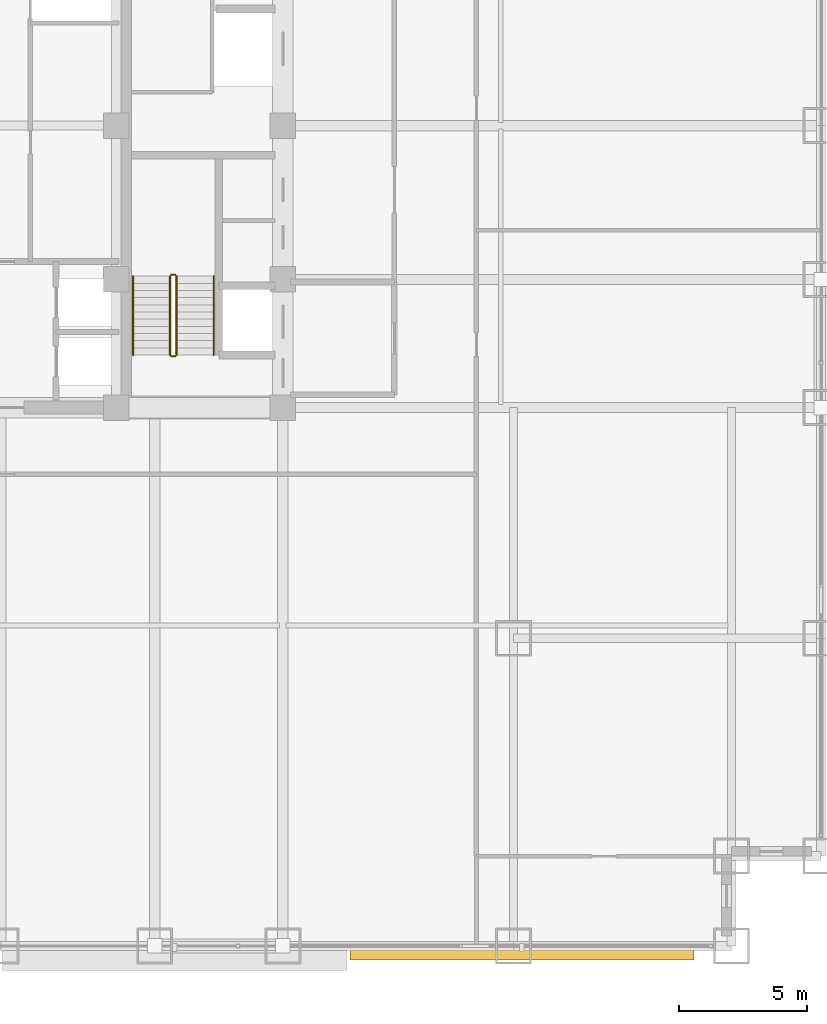
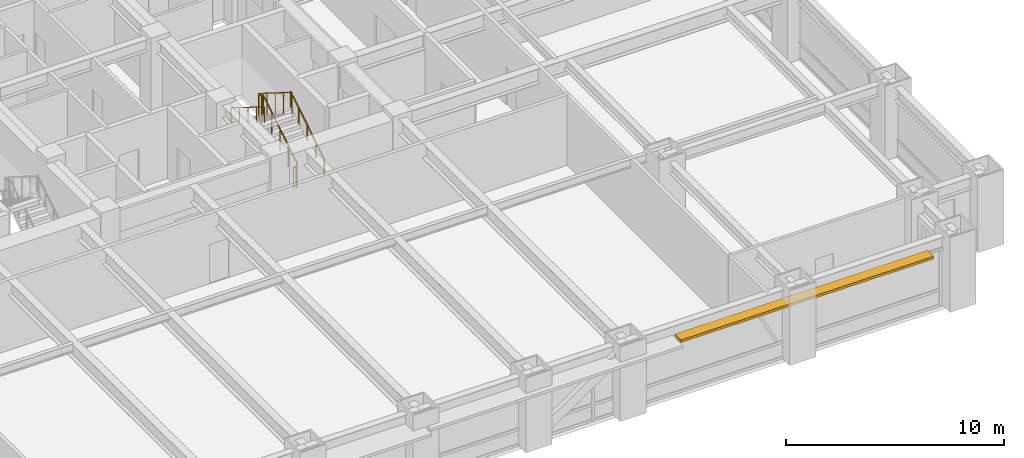
# One storey, part 29 of 31: 6 railings, 1 shading device.
"""IFC4 building model written with IfcOpenShell, lengths in metres."""

from ifc_helpers import new_model, si_unit, direction, frame, origin, origin_2d, place, context, subcontext, project, spatial, rectangle, circle, extrude, source, transform, mapped, material, layer, layer_set, type_object, element, save


model = new_model("IFC4")

# Units and contexts
model_context = context("Model", 3, precision=1e-05, world=origin(), true_north=direction((0.0, 1.0)))
body_context = subcontext(model_context, "Body", "Model", "MODEL_VIEW")
ifc_project = project(units=[si_unit("LENGTHUNIT", "METRE"), si_unit("AREAUNIT", "SQUARE_METRE"), si_unit("VOLUMEUNIT", "CUBIC_METRE"), si_unit("PLANEANGLEUNIT", "RADIAN"), si_unit("MASSUNIT", "GRAM", prefix="KILO")], contexts=[model_context])

# Site, building, storey
site_placement = place(None, origin())
site = spatial("IfcSite", under=ifc_project, at=site_placement, CompositionType="ELEMENT")
building_placement = place(site_placement, origin())
building = spatial("IfcBuilding", under=site, at=building_placement, Name="Khorayat Bourse Tower", CompositionType="ELEMENT")
storey_placement = place(building_placement, frame((0.0, 0.0, 36.800048828125)))
storey = spatial("IfcBuildingStorey", under=building, at=storey_placement, Name="L07", CompositionType="ELEMENT", Elevation=36.800048828125)

# Shading device
ifc_material_1 = material(Name="Precast concrete C45/55", Category="concrete")
ifc_layer = layer(ifc_material_1, 0.139892578125)
ifc_layer_set = layer_set([ifc_layer], Name="Precast concrete C45/55")
shading_device_type = type_object("IfcShadingDeviceType", Name="SHD-WAVE-TRAY-B", PredefinedType="USERDEFINED", material=ifc_layer_set)
shared_shape_1 = source(origin(), body_context, "Body", "SweptSolid", [
    extrude(rectangle(XDim=13.409912109375, YDim=0.56689453125, at=origin_2d()), origin(), (0.0, 0.0, 1.0), 0.139892578125),
])
shading_device_placement = place(storey_placement, frame((20.324951171875, -32.263427734375, 3.18994140625), z_axis=(0.0, 0.0, 1.0), x_axis=(1.0, 0.0, 0.0)))
element("IfcShadingDevice", 1, at=shading_device_placement, inside=storey, type_object=shading_device_type, Name="L07 Sinusoidal Wave Sunshade Tray S-4", ObjectType="SUNSHADE", PredefinedType="USERDEFINED", context=body_context, shape_type="MappedRepresentation", body=[
    mapped(shared_shape_1, transform((0.0, 0.0, 0.0), scale=1.0)),
])

# Railings
ifc_material_2 = material(Name="Powder-coated steel balustrade", Category="steel")
railing_type_1 = type_object("IfcRailingType", Name="RLG-GUARD-1200", PredefinedType="GUARDRAIL", material=ifc_material_2)
shared_shape_2 = source(origin(), body_context, "Body", "SweptSolid", [
    extrude(circle(Radius=0.02392578125, at=origin_2d()), frame((0.0, 0.0, 1.17578125), z_axis=(-1.0, 0.0, 0.0), x_axis=(0.0, -1.0, 0.0)), (0.0, 0.0, 1.0), 0.150146484375),
    extrude(circle(Radius=0.02099609375, at=origin_2d()), origin(), (0.0, 0.0, 1.0), 1.15185546875),
    extrude(circle(Radius=0.02099609375, at=origin_2d()), frame((-0.150146484375, 0.0, 0.0)), (0.0, 0.0, 1.0), 1.15185546875),
])
for number, where, name in (
    (2, (6.800048828125, -5.820068359375, 2.099853515625), "L07 ST-3 stair guard 2"),
    (3, (6.800048828125, -9.0, 0.0), "L07 ST-3 stair guard 4"),
):
    element("IfcRailing", number, at=place(storey_placement, frame(where)), inside=storey, type_object=railing_type_1, Name=name, PredefinedType="GUARDRAIL", context=body_context, shape_type="MappedRepresentation", body=[
        mapped(shared_shape_2, transform((0.0, 0.0, 0.0), scale=1.0)),
    ])
shared_shape_3 = source(origin(), body_context, "Body", "SweptSolid", [
    extrude(circle(Radius=0.02392578125, at=origin_2d()), frame((0.0, 0.0, 1.17578125), z_axis=(0.0, -0.847979421464, 0.530029150871), x_axis=(1.0, 0.0, 0.0)), (0.0, 0.0, 1.0), 3.632080078125),
    extrude(circle(Radius=0.02099609375, at=origin_2d()), origin(), (0.0, 0.0, 1.0), 1.15185546875),
    extrude(circle(Radius=0.02099609375, at=origin_2d()), frame((0.0, -0.77001953125, 0.481201171875)), (0.0, 0.0, 1.0), 1.15185546875),
    extrude(circle(Radius=0.02099609375, at=origin_2d()), frame((0.0, -1.5400390625, 0.96240234375)), (0.0, 0.0, 1.0), 1.15185546875),
    extrude(circle(Radius=0.02099609375, at=origin_2d()), frame((0.0, -2.309814453125, 1.44384765625)), (0.0, 0.0, 1.0), 1.15185546875),
    extrude(circle(Radius=0.02099609375, at=origin_2d()), frame((0.0, -3.079833984375, 1.925048828125)), (0.0, 0.0, 1.0), 1.15185546875),
])
railing_1_placement = place(storey_placement, frame((6.60009765625, -5.8701171875, 2.27490234375)))
element("IfcRailing", 4, at=railing_1_placement, inside=storey, type_object=railing_type_1, Name="L07 ST-3 stair guard 3", PredefinedType="GUARDRAIL", context=body_context, shape_type="MappedRepresentation", body=[
    mapped(shared_shape_3, transform((0.0, 0.0, 0.0), scale=1.0)),
])
ifc_material_3 = material(Name="Brushed bronze stainless-steel handrail", Category="steel")
railing_type_2 = type_object("IfcRailingType", Name="RLG-HAND-900", PredefinedType="HANDRAIL", material=ifc_material_3)
shared_shape_4 = source(origin(), body_context, "Body", "SweptSolid", [
    extrude(circle(Radius=0.02392578125, at=origin_2d()), frame((0.0, 0.0, 0.8759765625), z_axis=(0.0, -0.847979421464, 0.530029150871), x_axis=(1.0, 0.0, 0.0)), (0.0, 0.0, 1.0), 3.632080078125),
    extrude(circle(Radius=0.02099609375, at=origin_2d()), origin(), (0.0, 0.0, 1.0), 0.851806640625),
    extrude(circle(Radius=0.02099609375, at=origin_2d()), frame((0.0, -0.77001953125, 0.481201171875)), (0.0, 0.0, 1.0), 0.851806640625),
    extrude(circle(Radius=0.02099609375, at=origin_2d()), frame((0.0, -1.5400390625, 0.96240234375)), (0.0, 0.0, 1.0), 0.851806640625),
    extrude(circle(Radius=0.02099609375, at=origin_2d()), frame((0.0, -2.309814453125, 1.44384765625)), (0.0, 0.0, 1.0), 0.851806640625),
    extrude(circle(Radius=0.02099609375, at=origin_2d()), frame((0.0, -3.079833984375, 1.925048828125)), (0.0, 0.0, 1.0), 0.851806640625),
])
railing_2_placement = place(storey_placement, frame((5.14990234375, -5.8701171875, 2.27490234375)))
element("IfcRailing", 5, at=railing_2_placement, inside=storey, type_object=railing_type_2, Name="L07 ST-3 stair handrail 2", PredefinedType="HANDRAIL", context=body_context, shape_type="MappedRepresentation", body=[
    mapped(shared_shape_4, transform((0.0, 0.0, 0.0), scale=1.0)),
])
shared_shape_5 = source(origin(), body_context, "Body", "SweptSolid", [
    extrude(circle(Radius=0.02392578125, at=origin_2d()), frame((0.0, 0.0, 1.17578125), z_axis=(0.0, 0.848009633417, 0.529980812513), x_axis=(-1.0, 0.0, 0.0)), (0.0, 0.0, 1.0), 3.6318359375),
    extrude(circle(Radius=0.02099609375, at=origin_2d()), origin(), (0.0, 0.0, 1.0), 1.15185546875),
    extrude(circle(Radius=0.02099609375, at=origin_2d()), frame((0.0, 0.77001953125, 0.481201171875)), (0.0, 0.0, 1.0), 1.15185546875),
    extrude(circle(Radius=0.02099609375, at=origin_2d()), frame((0.0, 1.5400390625, 0.96240234375)), (0.0, 0.0, 1.0), 1.15185546875),
    extrude(circle(Radius=0.02099609375, at=origin_2d()), frame((0.0, 2.309814453125, 1.443603515625)), (0.0, 0.0, 1.0), 1.15185546875),
    extrude(circle(Radius=0.02099609375, at=origin_2d()), frame((0.0, 3.079833984375, 1.9248046875)), (0.0, 0.0, 1.0), 1.15185546875),
])
railing_3_placement = place(storey_placement, frame((6.85009765625, -8.949951171875, 0.175048828125)))
element("IfcRailing", 6, at=railing_3_placement, inside=storey, type_object=railing_type_1, Name="L07 ST-3 stair guard 1", PredefinedType="GUARDRAIL", context=body_context, shape_type="MappedRepresentation", body=[
    mapped(shared_shape_5, transform((0.0, 0.0, 0.0), scale=1.0)),
])
shared_shape_6 = source(origin(), body_context, "Body", "SweptSolid", [
    extrude(circle(Radius=0.02392578125, at=origin_2d()), frame((0.0, 0.0, 0.8759765625), z_axis=(0.0, 0.848009633417, 0.529980812513), x_axis=(-1.0, 0.0, 0.0)), (0.0, 0.0, 1.0), 3.6318359375),
    extrude(circle(Radius=0.02099609375, at=origin_2d()), origin(), (0.0, 0.0, 1.0), 0.851806640625),
    extrude(circle(Radius=0.02099609375, at=origin_2d()), frame((0.0, 0.77001953125, 0.481201171875)), (0.0, 0.0, 1.0), 0.851806640625),
    extrude(circle(Radius=0.02099609375, at=origin_2d()), frame((0.0, 1.5400390625, 0.96240234375)), (0.0, 0.0, 1.0), 0.851806640625),
    extrude(circle(Radius=0.02099609375, at=origin_2d()), frame((0.0, 2.309814453125, 1.443603515625)), (0.0, 0.0, 1.0), 0.851806640625),
    extrude(circle(Radius=0.02099609375, at=origin_2d()), frame((0.0, 3.079833984375, 1.9248046875)), (0.0, 0.0, 1.0), 0.851806640625),
])
railing_4_placement = place(storey_placement, frame((8.300048828125, -8.949951171875, 0.175048828125)))
element("IfcRailing", 7, at=railing_4_placement, inside=storey, type_object=railing_type_2, Name="L07 ST-3 stair handrail 1", PredefinedType="HANDRAIL", context=body_context, shape_type="MappedRepresentation", body=[
    mapped(shared_shape_6, transform((0.0, 0.0, 0.0), scale=1.0)),
])

save(model, "model.ifc")
